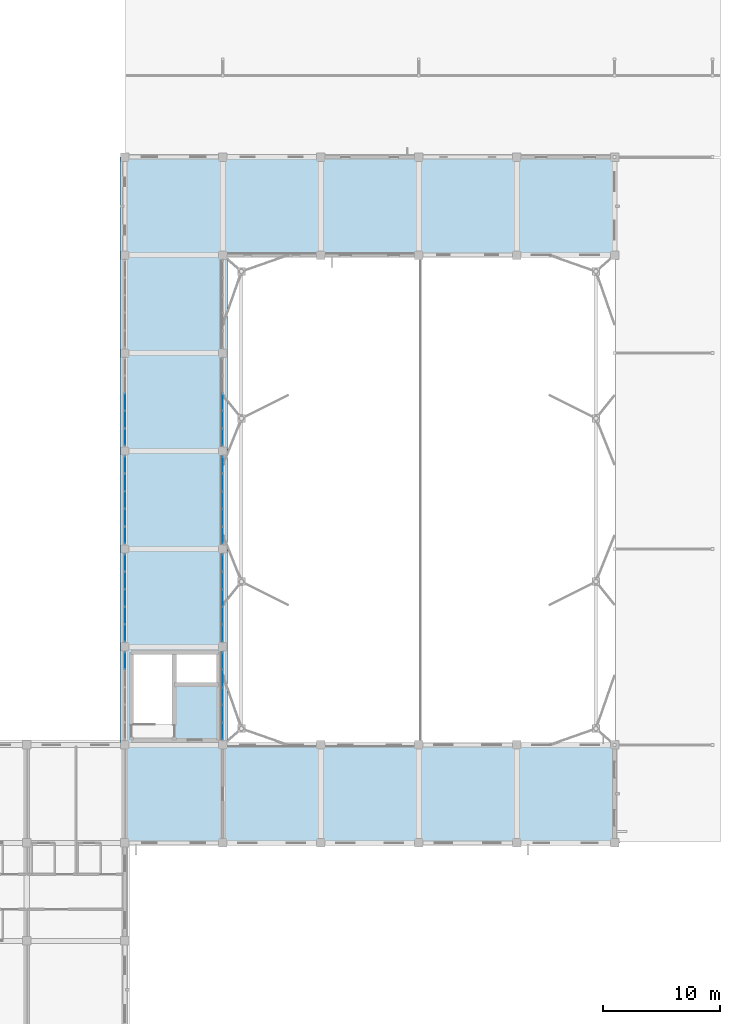
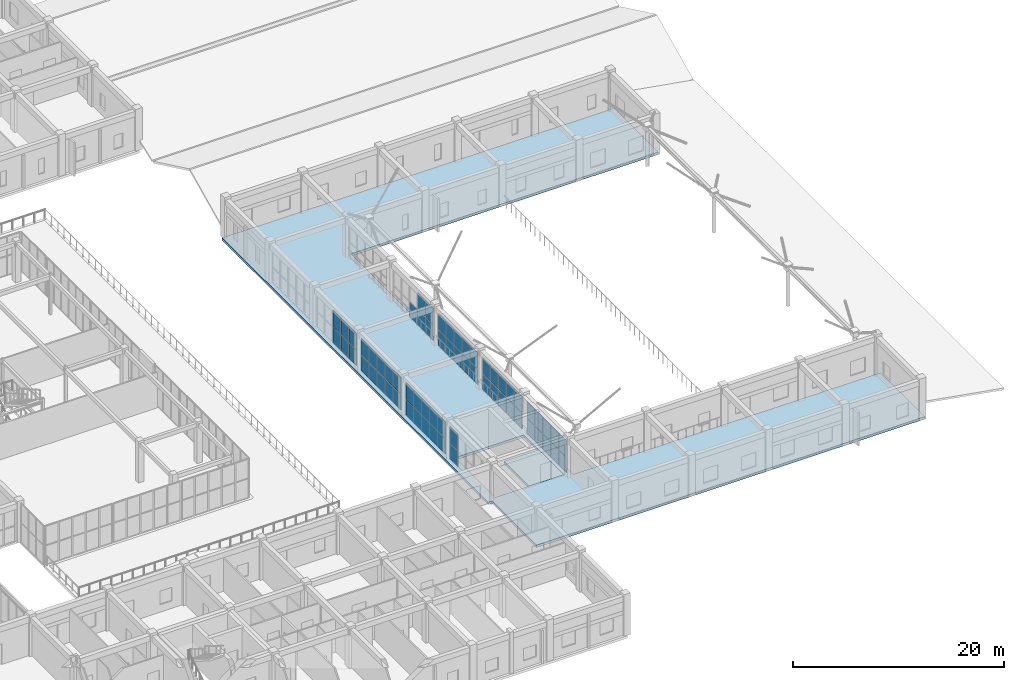
# One storey, part 111 of 158: 63 plates, 2 slabs, 8 elements without a shape of their own.
"""IFC4 building model written with IfcOpenShell, lengths in metres."""

from ifc_helpers import new_model, si_unit, direction, frame, origin, origin_2d, place, context, subcontext, project, spatial, polyline, rectangle, outline, extrude, material, layer, layer_set, type_object, element, aggregate, save


model = new_model("IFC4")

# Units and contexts
model_context = context("Model", 3, precision=1e-05, world=origin(), true_north=direction((0.0, 1.0)))
body_context = subcontext(model_context, "Body", "Model", "MODEL_VIEW")
ifc_project = project(units=[si_unit("LENGTHUNIT", "METRE"), si_unit("AREAUNIT", "SQUARE_METRE"), si_unit("VOLUMEUNIT", "CUBIC_METRE"), si_unit("PLANEANGLEUNIT", "RADIAN"), si_unit("MASSUNIT", "GRAM", prefix="KILO")], contexts=[model_context])

# Site, building, storey
site_placement = place(None, origin())
site = spatial("IfcSite", under=ifc_project, at=site_placement, CompositionType="ELEMENT")
building_placement = place(site_placement, origin())
building = spatial("IfcBuilding", under=site, at=building_placement, Name="Trelvath General Hospital", CompositionType="ELEMENT")
storey_placement = place(building_placement, frame((0.0, 0.0, 8.10009765625)))
storey = spatial("IfcBuildingStorey", under=building, at=storey_placement, Name="L02", CompositionType="ELEMENT", Elevation=8.10009765625)

# Curtain wall, plates
ifc_material_1 = material(Name="Anodised aluminium and low-E glass", Category="aluminium")
ifc_layer_1 = layer(ifc_material_1, 0.179931640625)
ifc_layer_set_1 = layer_set([ifc_layer_1], Name="Anodised aluminium and low-E glass")
curtain_wall_type = type_object("IfcCurtainWallType", Name="CW Facade 757 386 18", PredefinedType="USERDEFINED", material=ifc_layer_set_1)
curtain_wall_1_placement = place(storey_placement, origin())
curtain_wall_1 = element("IfcCurtainWall", 1, at=curtain_wall_1_placement, inside=storey, type_object=curtain_wall_type, Name="Facade Curtain Wall CW-046", ObjectType="Unitised Glazed Curtain Wall", PredefinedType="USERDEFINED")
ifc_material_2 = material(Name="Low-E laminated glass", Category="glass")
ifc_layer_2 = layer(ifc_material_2, 0.035888671875)
ifc_layer_set_2 = layer_set([ifc_layer_2], Name="Low-E laminated glass")
plate_type = type_object("IfcPlateType", Name="CurtainPanel Glass36", PredefinedType="CURTAIN_PANEL", material=ifc_layer_set_2)
plate_1_placement = place(storey_placement, frame((134.39990234375, 32.411865234375, 0.06494140625), z_axis=(0.0, 0.0, 1.0), x_axis=(0.0, 1.0, 0.0)))
plate_1 = element("IfcPlate", 2, at=plate_1_placement, type_object=plate_type, Name="CW-046 panel 5.1", PredefinedType="CURTAIN_PANEL", context=body_context, shape_type="SweptSolid", body=[
    extrude(rectangle(XDim=1.41650390625, YDim=0.035888671875, at=origin_2d()), origin(), (0.0, 0.0, 1.0), 1.755615234375),
])
plate_2_placement = place(storey_placement, frame((134.39990234375, 32.411865234375, 1.88525390625), z_axis=(0.0, 0.0, 1.0), x_axis=(0.0, 1.0, 0.0)))
plate_2 = element("IfcPlate", 3, at=plate_2_placement, type_object=plate_type, Name="CW-046 panel 5.2", PredefinedType="CURTAIN_PANEL", context=body_context, shape_type="SweptSolid", body=[
    extrude(rectangle(XDim=1.41650390625, YDim=0.035888671875, at=origin_2d()), origin(), (0.0, 0.0, 1.0), 1.909423828125),
])
aggregate(curtain_wall_1, [plate_1, plate_2])

curtain_wall_2_placement = place(storey_placement, origin())
curtain_wall_2 = element("IfcCurtainWall", 4, at=curtain_wall_2_placement, inside=storey, type_object=curtain_wall_type, Name="Facade Curtain Wall CW-047", ObjectType="Unitised Glazed Curtain Wall", PredefinedType="USERDEFINED")
plate_3_placement = place(storey_placement, frame((142.800048828125, 32.411865234375, 0.06494140625), z_axis=(0.0, 0.0, 1.0), x_axis=(0.0, -1.0, 0.0)))
plate_3 = element("IfcPlate", 5, at=plate_3_placement, type_object=plate_type, Name="CW-047 panel 1.1", PredefinedType="CURTAIN_PANEL", context=body_context, shape_type="SweptSolid", body=[
    extrude(rectangle(XDim=1.41650390625, YDim=0.035888671875, at=origin_2d()), origin(), (0.0, 0.0, 1.0), 1.755615234375),
])
plate_4_placement = place(storey_placement, frame((142.800048828125, 32.411865234375, 1.88525390625), z_axis=(0.0, 0.0, 1.0), x_axis=(0.0, -1.0, 0.0)))
plate_4 = element("IfcPlate", 6, at=plate_4_placement, type_object=plate_type, Name="CW-047 panel 1.2", PredefinedType="CURTAIN_PANEL", context=body_context, shape_type="SweptSolid", body=[
    extrude(rectangle(XDim=1.41650390625, YDim=0.035888671875, at=origin_2d()), origin(), (0.0, 0.0, 1.0), 1.909423828125),
])
plate_5_placement = place(storey_placement, frame((142.800048828125, 30.9140625, 0.06494140625), z_axis=(0.0, 0.0, 1.0), x_axis=(0.0, -1.0, 0.0)))
plate_5 = element("IfcPlate", 7, at=plate_5_placement, type_object=plate_type, Name="CW-047 panel 2.1", PredefinedType="CURTAIN_PANEL", context=body_context, shape_type="SweptSolid", body=[
    extrude(rectangle(XDim=1.448974609375, YDim=0.035888671875, at=origin_2d()), origin(), (0.0, 0.0, 1.0), 1.755615234375),
])
plate_6_placement = place(storey_placement, frame((142.800048828125, 30.9140625, 1.88525390625), z_axis=(0.0, 0.0, 1.0), x_axis=(0.0, -1.0, 0.0)))
plate_6 = element("IfcPlate", 8, at=plate_6_placement, type_object=plate_type, Name="CW-047 panel 2.2", PredefinedType="CURTAIN_PANEL", context=body_context, shape_type="SweptSolid", body=[
    extrude(rectangle(XDim=1.448974609375, YDim=0.035888671875, at=origin_2d()), origin(), (0.0, 0.0, 1.0), 1.909423828125),
])
plate_7_placement = place(storey_placement, frame((142.800048828125, 29.39990234375, 0.06494140625), z_axis=(0.0, 0.0, 1.0), x_axis=(0.0, -1.0, 0.0)))
plate_7 = element("IfcPlate", 9, at=plate_7_placement, type_object=plate_type, Name="CW-047 panel 3.1", PredefinedType="CURTAIN_PANEL", context=body_context, shape_type="SweptSolid", body=[
    extrude(rectangle(XDim=1.448974609375, YDim=0.035888671875, at=origin_2d()), origin(), (0.0, 0.0, 1.0), 1.755615234375),
])
plate_8_placement = place(storey_placement, frame((142.800048828125, 29.39990234375, 1.88525390625), z_axis=(0.0, 0.0, 1.0), x_axis=(0.0, -1.0, 0.0)))
plate_8 = element("IfcPlate", 10, at=plate_8_placement, type_object=plate_type, Name="CW-047 panel 3.2", PredefinedType="CURTAIN_PANEL", context=body_context, shape_type="SweptSolid", body=[
    extrude(rectangle(XDim=1.448974609375, YDim=0.035888671875, at=origin_2d()), origin(), (0.0, 0.0, 1.0), 1.909423828125),
])
plate_9_placement = place(storey_placement, frame((142.800048828125, 27.885986328125, 0.06494140625), z_axis=(0.0, 0.0, 1.0), x_axis=(0.0, -1.0, 0.0)))
plate_9 = element("IfcPlate", 11, at=plate_9_placement, type_object=plate_type, Name="CW-047 panel 4.1", PredefinedType="CURTAIN_PANEL", context=body_context, shape_type="SweptSolid", body=[
    extrude(rectangle(XDim=1.448974609375, YDim=0.035888671875, at=origin_2d()), origin(), (0.0, 0.0, 1.0), 1.755615234375),
])
plate_10_placement = place(storey_placement, frame((142.800048828125, 27.885986328125, 1.88525390625), z_axis=(0.0, 0.0, 1.0), x_axis=(0.0, -1.0, 0.0)))
plate_10 = element("IfcPlate", 12, at=plate_10_placement, type_object=plate_type, Name="CW-047 panel 4.2", PredefinedType="CURTAIN_PANEL", context=body_context, shape_type="SweptSolid", body=[
    extrude(rectangle(XDim=1.448974609375, YDim=0.035888671875, at=origin_2d()), origin(), (0.0, 0.0, 1.0), 1.909423828125),
])
plate_11_placement = place(storey_placement, frame((142.800048828125, 26.38818359375, 0.06494140625), z_axis=(0.0, 0.0, 1.0), x_axis=(0.0, -1.0, 0.0)))
plate_11 = element("IfcPlate", 13, at=plate_11_placement, type_object=plate_type, Name="CW-047 panel 5.1", PredefinedType="CURTAIN_PANEL", context=body_context, shape_type="SweptSolid", body=[
    extrude(rectangle(XDim=1.41650390625, YDim=0.035888671875, at=origin_2d()), origin(), (0.0, 0.0, 1.0), 1.755615234375),
])
plate_12_placement = place(storey_placement, frame((142.800048828125, 26.38818359375, 1.88525390625), z_axis=(0.0, 0.0, 1.0), x_axis=(0.0, -1.0, 0.0)))
plate_12 = element("IfcPlate", 14, at=plate_12_placement, type_object=plate_type, Name="CW-047 panel 5.2", PredefinedType="CURTAIN_PANEL", context=body_context, shape_type="SweptSolid", body=[
    extrude(rectangle(XDim=1.41650390625, YDim=0.035888671875, at=origin_2d()), origin(), (0.0, 0.0, 1.0), 1.909423828125),
])
aggregate(curtain_wall_2, [plate_3, plate_4, plate_5, plate_6, plate_7, plate_8, plate_9, plate_10, plate_11, plate_12])

curtain_wall_3_placement = place(storey_placement, origin())
curtain_wall_3 = element("IfcCurtainWall", 15, at=curtain_wall_3_placement, inside=storey, type_object=curtain_wall_type, Name="Facade Curtain Wall CW-048", ObjectType="Unitised Glazed Curtain Wall", PredefinedType="USERDEFINED")
plate_13_placement = place(storey_placement, frame((134.39990234375, 34.788330078125, 0.06494140625), z_axis=(0.0, 0.0, 1.0), x_axis=(0.0, 1.0, 0.0)))
plate_13 = element("IfcPlate", 16, at=plate_13_placement, type_object=plate_type, Name="CW-048 panel 1.1", PredefinedType="CURTAIN_PANEL", context=body_context, shape_type="SweptSolid", body=[
    extrude(rectangle(XDim=1.41650390625, YDim=0.035888671875, at=origin_2d()), origin(), (0.0, 0.0, 1.0), 1.755615234375),
])
plate_14_placement = place(storey_placement, frame((134.39990234375, 34.788330078125, 1.88525390625), z_axis=(0.0, 0.0, 1.0), x_axis=(0.0, 1.0, 0.0)))
plate_14 = element("IfcPlate", 17, at=plate_14_placement, type_object=plate_type, Name="CW-048 panel 1.2", PredefinedType="CURTAIN_PANEL", context=body_context, shape_type="SweptSolid", body=[
    extrude(rectangle(XDim=1.41650390625, YDim=0.035888671875, at=origin_2d()), origin(), (0.0, 0.0, 1.0), 1.909423828125),
])
plate_15_placement = place(storey_placement, frame((134.39990234375, 36.285888671875, 0.06494140625), z_axis=(0.0, 0.0, 1.0), x_axis=(0.0, 1.0, 0.0)))
plate_15 = element("IfcPlate", 18, at=plate_15_placement, type_object=plate_type, Name="CW-048 panel 2.1", PredefinedType="CURTAIN_PANEL", context=body_context, shape_type="SweptSolid", body=[
    extrude(rectangle(XDim=1.448974609375, YDim=0.035888671875, at=origin_2d()), origin(), (0.0, 0.0, 1.0), 1.755615234375),
])
plate_16_placement = place(storey_placement, frame((134.39990234375, 36.285888671875, 1.88525390625), z_axis=(0.0, 0.0, 1.0), x_axis=(0.0, 1.0, 0.0)))
plate_16 = element("IfcPlate", 19, at=plate_16_placement, type_object=plate_type, Name="CW-048 panel 2.2", PredefinedType="CURTAIN_PANEL", context=body_context, shape_type="SweptSolid", body=[
    extrude(rectangle(XDim=1.448974609375, YDim=0.035888671875, at=origin_2d()), origin(), (0.0, 0.0, 1.0), 1.909423828125),
])
plate_17_placement = place(storey_placement, frame((134.39990234375, 37.800048828125, 0.06494140625), z_axis=(0.0, 0.0, 1.0), x_axis=(0.0, 1.0, 0.0)))
plate_17 = element("IfcPlate", 20, at=plate_17_placement, type_object=plate_type, Name="CW-048 panel 3.1", PredefinedType="CURTAIN_PANEL", context=body_context, shape_type="SweptSolid", body=[
    extrude(rectangle(XDim=1.448974609375, YDim=0.035888671875, at=origin_2d()), origin(), (0.0, 0.0, 1.0), 1.755615234375),
])
plate_18_placement = place(storey_placement, frame((134.39990234375, 37.800048828125, 1.88525390625), z_axis=(0.0, 0.0, 1.0), x_axis=(0.0, 1.0, 0.0)))
plate_18 = element("IfcPlate", 21, at=plate_18_placement, type_object=plate_type, Name="CW-048 panel 3.2", PredefinedType="CURTAIN_PANEL", context=body_context, shape_type="SweptSolid", body=[
    extrude(rectangle(XDim=1.448974609375, YDim=0.035888671875, at=origin_2d()), origin(), (0.0, 0.0, 1.0), 1.909423828125),
])
plate_19_placement = place(storey_placement, frame((134.39990234375, 39.31396484375, 0.06494140625), z_axis=(0.0, 0.0, 1.0), x_axis=(0.0, 1.0, 0.0)))
plate_19 = element("IfcPlate", 22, at=plate_19_placement, type_object=plate_type, Name="CW-048 panel 4.1", PredefinedType="CURTAIN_PANEL", context=body_context, shape_type="SweptSolid", body=[
    extrude(rectangle(XDim=1.448974609375, YDim=0.035888671875, at=origin_2d()), origin(), (0.0, 0.0, 1.0), 1.755615234375),
])
plate_20_placement = place(storey_placement, frame((134.39990234375, 39.31396484375, 1.88525390625), z_axis=(0.0, 0.0, 1.0), x_axis=(0.0, 1.0, 0.0)))
plate_20 = element("IfcPlate", 23, at=plate_20_placement, type_object=plate_type, Name="CW-048 panel 4.2", PredefinedType="CURTAIN_PANEL", context=body_context, shape_type="SweptSolid", body=[
    extrude(rectangle(XDim=1.448974609375, YDim=0.035888671875, at=origin_2d()), origin(), (0.0, 0.0, 1.0), 1.909423828125),
])
plate_21_placement = place(storey_placement, frame((134.39990234375, 40.811767578125, 0.06494140625), z_axis=(0.0, 0.0, 1.0), x_axis=(0.0, 1.0, 0.0)))
plate_21 = element("IfcPlate", 24, at=plate_21_placement, type_object=plate_type, Name="CW-048 panel 5.1", PredefinedType="CURTAIN_PANEL", context=body_context, shape_type="SweptSolid", body=[
    extrude(rectangle(XDim=1.41650390625, YDim=0.035888671875, at=origin_2d()), origin(), (0.0, 0.0, 1.0), 1.755615234375),
])
plate_22_placement = place(storey_placement, frame((134.39990234375, 40.811767578125, 1.88525390625), z_axis=(0.0, 0.0, 1.0), x_axis=(0.0, 1.0, 0.0)))
plate_22 = element("IfcPlate", 25, at=plate_22_placement, type_object=plate_type, Name="CW-048 panel 5.2", PredefinedType="CURTAIN_PANEL", context=body_context, shape_type="SweptSolid", body=[
    extrude(rectangle(XDim=1.41650390625, YDim=0.035888671875, at=origin_2d()), origin(), (0.0, 0.0, 1.0), 1.909423828125),
])
aggregate(curtain_wall_3, [plate_13, plate_14, plate_15, plate_16, plate_17, plate_18, plate_19, plate_20, plate_21, plate_22])

curtain_wall_4_placement = place(storey_placement, origin())
curtain_wall_4 = element("IfcCurtainWall", 26, at=curtain_wall_4_placement, inside=storey, type_object=curtain_wall_type, Name="Facade Curtain Wall CW-049", ObjectType="Unitised Glazed Curtain Wall", PredefinedType="USERDEFINED")
plate_23_placement = place(storey_placement, frame((142.800048828125, 40.811767578125, 0.06494140625), z_axis=(0.0, 0.0, 1.0), x_axis=(0.0, -1.0, 0.0)))
plate_23 = element("IfcPlate", 27, at=plate_23_placement, type_object=plate_type, Name="CW-049 panel 1.1", PredefinedType="CURTAIN_PANEL", context=body_context, shape_type="SweptSolid", body=[
    extrude(rectangle(XDim=1.41650390625, YDim=0.035888671875, at=origin_2d()), origin(), (0.0, 0.0, 1.0), 1.755615234375),
])
plate_24_placement = place(storey_placement, frame((142.800048828125, 40.811767578125, 1.88525390625), z_axis=(0.0, 0.0, 1.0), x_axis=(0.0, -1.0, 0.0)))
plate_24 = element("IfcPlate", 28, at=plate_24_placement, type_object=plate_type, Name="CW-049 panel 1.2", PredefinedType="CURTAIN_PANEL", context=body_context, shape_type="SweptSolid", body=[
    extrude(rectangle(XDim=1.41650390625, YDim=0.035888671875, at=origin_2d()), origin(), (0.0, 0.0, 1.0), 1.909423828125),
])
plate_25_placement = place(storey_placement, frame((142.800048828125, 39.31396484375, 0.06494140625), z_axis=(0.0, 0.0, 1.0), x_axis=(0.0, -1.0, 0.0)))
plate_25 = element("IfcPlate", 29, at=plate_25_placement, type_object=plate_type, Name="CW-049 panel 2.1", PredefinedType="CURTAIN_PANEL", context=body_context, shape_type="SweptSolid", body=[
    extrude(rectangle(XDim=1.448974609375, YDim=0.035888671875, at=origin_2d()), origin(), (0.0, 0.0, 1.0), 1.755615234375),
])
plate_26_placement = place(storey_placement, frame((142.800048828125, 39.31396484375, 1.88525390625), z_axis=(0.0, 0.0, 1.0), x_axis=(0.0, -1.0, 0.0)))
plate_26 = element("IfcPlate", 30, at=plate_26_placement, type_object=plate_type, Name="CW-049 panel 2.2", PredefinedType="CURTAIN_PANEL", context=body_context, shape_type="SweptSolid", body=[
    extrude(rectangle(XDim=1.448974609375, YDim=0.035888671875, at=origin_2d()), origin(), (0.0, 0.0, 1.0), 1.909423828125),
])
plate_27_placement = place(storey_placement, frame((142.800048828125, 37.800048828125, 0.06494140625), z_axis=(0.0, 0.0, 1.0), x_axis=(0.0, -1.0, 0.0)))
plate_27 = element("IfcPlate", 31, at=plate_27_placement, type_object=plate_type, Name="CW-049 panel 3.1", PredefinedType="CURTAIN_PANEL", context=body_context, shape_type="SweptSolid", body=[
    extrude(rectangle(XDim=1.448974609375, YDim=0.035888671875, at=origin_2d()), origin(), (0.0, 0.0, 1.0), 1.755615234375),
])
plate_28_placement = place(storey_placement, frame((142.800048828125, 37.800048828125, 1.88525390625), z_axis=(0.0, 0.0, 1.0), x_axis=(0.0, -1.0, 0.0)))
plate_28 = element("IfcPlate", 32, at=plate_28_placement, type_object=plate_type, Name="CW-049 panel 3.2", PredefinedType="CURTAIN_PANEL", context=body_context, shape_type="SweptSolid", body=[
    extrude(rectangle(XDim=1.448974609375, YDim=0.035888671875, at=origin_2d()), origin(), (0.0, 0.0, 1.0), 1.909423828125),
])
plate_29_placement = place(storey_placement, frame((142.800048828125, 36.285888671875, 0.06494140625), z_axis=(0.0, 0.0, 1.0), x_axis=(0.0, -1.0, 0.0)))
plate_29 = element("IfcPlate", 33, at=plate_29_placement, type_object=plate_type, Name="CW-049 panel 4.1", PredefinedType="CURTAIN_PANEL", context=body_context, shape_type="SweptSolid", body=[
    extrude(rectangle(XDim=1.448974609375, YDim=0.035888671875, at=origin_2d()), origin(), (0.0, 0.0, 1.0), 1.755615234375),
])
plate_30_placement = place(storey_placement, frame((142.800048828125, 36.285888671875, 1.88525390625), z_axis=(0.0, 0.0, 1.0), x_axis=(0.0, -1.0, 0.0)))
plate_30 = element("IfcPlate", 34, at=plate_30_placement, type_object=plate_type, Name="CW-049 panel 4.2", PredefinedType="CURTAIN_PANEL", context=body_context, shape_type="SweptSolid", body=[
    extrude(rectangle(XDim=1.448974609375, YDim=0.035888671875, at=origin_2d()), origin(), (0.0, 0.0, 1.0), 1.909423828125),
])
plate_31_placement = place(storey_placement, frame((142.800048828125, 34.788330078125, 0.06494140625), z_axis=(0.0, 0.0, 1.0), x_axis=(0.0, -1.0, 0.0)))
plate_31 = element("IfcPlate", 35, at=plate_31_placement, type_object=plate_type, Name="CW-049 panel 5.1", PredefinedType="CURTAIN_PANEL", context=body_context, shape_type="SweptSolid", body=[
    extrude(rectangle(XDim=1.41650390625, YDim=0.035888671875, at=origin_2d()), origin(), (0.0, 0.0, 1.0), 1.755615234375),
])
plate_32_placement = place(storey_placement, frame((142.800048828125, 34.788330078125, 1.88525390625), z_axis=(0.0, 0.0, 1.0), x_axis=(0.0, -1.0, 0.0)))
plate_32 = element("IfcPlate", 36, at=plate_32_placement, type_object=plate_type, Name="CW-049 panel 5.2", PredefinedType="CURTAIN_PANEL", context=body_context, shape_type="SweptSolid", body=[
    extrude(rectangle(XDim=1.41650390625, YDim=0.035888671875, at=origin_2d()), origin(), (0.0, 0.0, 1.0), 1.909423828125),
])
aggregate(curtain_wall_4, [plate_23, plate_24, plate_25, plate_26, plate_27, plate_28, plate_29, plate_30, plate_31, plate_32])

curtain_wall_5_placement = place(storey_placement, origin())
curtain_wall_5 = element("IfcCurtainWall", 37, at=curtain_wall_5_placement, inside=storey, type_object=curtain_wall_type, Name="Facade Curtain Wall CW-050", ObjectType="Unitised Glazed Curtain Wall", PredefinedType="USERDEFINED")
plate_33_placement = place(storey_placement, frame((134.39990234375, 43.188232421875, 0.06494140625), z_axis=(0.0, 0.0, 1.0), x_axis=(0.0, 1.0, 0.0)))
plate_33 = element("IfcPlate", 38, at=plate_33_placement, type_object=plate_type, Name="CW-050 panel 1.1", PredefinedType="CURTAIN_PANEL", context=body_context, shape_type="SweptSolid", body=[
    extrude(rectangle(XDim=1.41650390625, YDim=0.035888671875, at=origin_2d()), origin(), (0.0, 0.0, 1.0), 1.755615234375),
])
plate_34_placement = place(storey_placement, frame((134.39990234375, 43.188232421875, 1.88525390625), z_axis=(0.0, 0.0, 1.0), x_axis=(0.0, 1.0, 0.0)))
plate_34 = element("IfcPlate", 39, at=plate_34_placement, type_object=plate_type, Name="CW-050 panel 1.2", PredefinedType="CURTAIN_PANEL", context=body_context, shape_type="SweptSolid", body=[
    extrude(rectangle(XDim=1.41650390625, YDim=0.035888671875, at=origin_2d()), origin(), (0.0, 0.0, 1.0), 1.909423828125),
])
plate_35_placement = place(storey_placement, frame((134.39990234375, 44.68603515625, 0.06494140625), z_axis=(0.0, 0.0, 1.0), x_axis=(0.0, 1.0, 0.0)))
plate_35 = element("IfcPlate", 40, at=plate_35_placement, type_object=plate_type, Name="CW-050 panel 2.1", PredefinedType="CURTAIN_PANEL", context=body_context, shape_type="SweptSolid", body=[
    extrude(rectangle(XDim=1.448974609375, YDim=0.035888671875, at=origin_2d()), origin(), (0.0, 0.0, 1.0), 1.755615234375),
])
plate_36_placement = place(storey_placement, frame((134.39990234375, 44.68603515625, 1.88525390625), z_axis=(0.0, 0.0, 1.0), x_axis=(0.0, 1.0, 0.0)))
plate_36 = element("IfcPlate", 41, at=plate_36_placement, type_object=plate_type, Name="CW-050 panel 2.2", PredefinedType="CURTAIN_PANEL", context=body_context, shape_type="SweptSolid", body=[
    extrude(rectangle(XDim=1.448974609375, YDim=0.035888671875, at=origin_2d()), origin(), (0.0, 0.0, 1.0), 1.909423828125),
])
plate_37_placement = place(storey_placement, frame((134.39990234375, 46.199951171875, 0.06494140625), z_axis=(0.0, 0.0, 1.0), x_axis=(0.0, 1.0, 0.0)))
plate_37 = element("IfcPlate", 42, at=plate_37_placement, type_object=plate_type, Name="CW-050 panel 3.1", PredefinedType="CURTAIN_PANEL", context=body_context, shape_type="SweptSolid", body=[
    extrude(rectangle(XDim=1.448974609375, YDim=0.035888671875, at=origin_2d()), origin(), (0.0, 0.0, 1.0), 1.755615234375),
])
plate_38_placement = place(storey_placement, frame((134.39990234375, 46.199951171875, 1.88525390625), z_axis=(0.0, 0.0, 1.0), x_axis=(0.0, 1.0, 0.0)))
plate_38 = element("IfcPlate", 43, at=plate_38_placement, type_object=plate_type, Name="CW-050 panel 3.2", PredefinedType="CURTAIN_PANEL", context=body_context, shape_type="SweptSolid", body=[
    extrude(rectangle(XDim=1.448974609375, YDim=0.035888671875, at=origin_2d()), origin(), (0.0, 0.0, 1.0), 1.909423828125),
])
plate_39_placement = place(storey_placement, frame((134.39990234375, 47.714111328125, 0.06494140625), z_axis=(0.0, 0.0, 1.0), x_axis=(0.0, 1.0, 0.0)))
plate_39 = element("IfcPlate", 44, at=plate_39_placement, type_object=plate_type, Name="CW-050 panel 4.1", PredefinedType="CURTAIN_PANEL", context=body_context, shape_type="SweptSolid", body=[
    extrude(rectangle(XDim=1.448974609375, YDim=0.035888671875, at=origin_2d()), origin(), (0.0, 0.0, 1.0), 1.755615234375),
])
plate_40_placement = place(storey_placement, frame((134.39990234375, 47.714111328125, 1.88525390625), z_axis=(0.0, 0.0, 1.0), x_axis=(0.0, 1.0, 0.0)))
plate_40 = element("IfcPlate", 45, at=plate_40_placement, type_object=plate_type, Name="CW-050 panel 4.2", PredefinedType="CURTAIN_PANEL", context=body_context, shape_type="SweptSolid", body=[
    extrude(rectangle(XDim=1.448974609375, YDim=0.035888671875, at=origin_2d()), origin(), (0.0, 0.0, 1.0), 1.909423828125),
])
plate_41_placement = place(storey_placement, frame((134.39990234375, 49.211669921875, 0.06494140625), z_axis=(0.0, 0.0, 1.0), x_axis=(0.0, 1.0, 0.0)))
plate_41 = element("IfcPlate", 46, at=plate_41_placement, type_object=plate_type, Name="CW-050 panel 5.1", PredefinedType="CURTAIN_PANEL", context=body_context, shape_type="SweptSolid", body=[
    extrude(rectangle(XDim=1.41650390625, YDim=0.035888671875, at=origin_2d()), origin(), (0.0, 0.0, 1.0), 1.755615234375),
])
plate_42_placement = place(storey_placement, frame((134.39990234375, 49.211669921875, 1.88525390625), z_axis=(0.0, 0.0, 1.0), x_axis=(0.0, 1.0, 0.0)))
plate_42 = element("IfcPlate", 47, at=plate_42_placement, type_object=plate_type, Name="CW-050 panel 5.2", PredefinedType="CURTAIN_PANEL", context=body_context, shape_type="SweptSolid", body=[
    extrude(rectangle(XDim=1.41650390625, YDim=0.035888671875, at=origin_2d()), origin(), (0.0, 0.0, 1.0), 1.909423828125),
])
aggregate(curtain_wall_5, [plate_33, plate_34, plate_35, plate_36, plate_37, plate_38, plate_39, plate_40, plate_41, plate_42])

curtain_wall_6_placement = place(storey_placement, origin())
curtain_wall_6 = element("IfcCurtainWall", 48, at=curtain_wall_6_placement, inside=storey, type_object=curtain_wall_type, Name="Facade Curtain Wall CW-051", ObjectType="Unitised Glazed Curtain Wall", PredefinedType="USERDEFINED")
plate_43_placement = place(storey_placement, frame((142.800048828125, 49.211669921875, 0.06494140625), z_axis=(0.0, 0.0, 1.0), x_axis=(0.0, -1.0, 0.0)))
plate_43 = element("IfcPlate", 49, at=plate_43_placement, type_object=plate_type, Name="CW-051 panel 1.1", PredefinedType="CURTAIN_PANEL", context=body_context, shape_type="SweptSolid", body=[
    extrude(rectangle(XDim=1.41650390625, YDim=0.035888671875, at=origin_2d()), origin(), (0.0, 0.0, 1.0), 1.755615234375),
])
plate_44_placement = place(storey_placement, frame((142.800048828125, 49.211669921875, 1.88525390625), z_axis=(0.0, 0.0, 1.0), x_axis=(0.0, -1.0, 0.0)))
plate_44 = element("IfcPlate", 50, at=plate_44_placement, type_object=plate_type, Name="CW-051 panel 1.2", PredefinedType="CURTAIN_PANEL", context=body_context, shape_type="SweptSolid", body=[
    extrude(rectangle(XDim=1.41650390625, YDim=0.035888671875, at=origin_2d()), origin(), (0.0, 0.0, 1.0), 1.909423828125),
])
plate_45_placement = place(storey_placement, frame((142.800048828125, 47.714111328125, 0.06494140625), z_axis=(0.0, 0.0, 1.0), x_axis=(0.0, -1.0, 0.0)))
plate_45 = element("IfcPlate", 51, at=plate_45_placement, type_object=plate_type, Name="CW-051 panel 2.1", PredefinedType="CURTAIN_PANEL", context=body_context, shape_type="SweptSolid", body=[
    extrude(rectangle(XDim=1.448974609375, YDim=0.035888671875, at=origin_2d()), origin(), (0.0, 0.0, 1.0), 1.755615234375),
])
plate_46_placement = place(storey_placement, frame((142.800048828125, 47.714111328125, 1.88525390625), z_axis=(0.0, 0.0, 1.0), x_axis=(0.0, -1.0, 0.0)))
plate_46 = element("IfcPlate", 52, at=plate_46_placement, type_object=plate_type, Name="CW-051 panel 2.2", PredefinedType="CURTAIN_PANEL", context=body_context, shape_type="SweptSolid", body=[
    extrude(rectangle(XDim=1.448974609375, YDim=0.035888671875, at=origin_2d()), origin(), (0.0, 0.0, 1.0), 1.909423828125),
])
plate_47_placement = place(storey_placement, frame((142.800048828125, 46.199951171875, 0.06494140625), z_axis=(0.0, 0.0, 1.0), x_axis=(0.0, -1.0, 0.0)))
plate_47 = element("IfcPlate", 53, at=plate_47_placement, type_object=plate_type, Name="CW-051 panel 3.1", PredefinedType="CURTAIN_PANEL", context=body_context, shape_type="SweptSolid", body=[
    extrude(rectangle(XDim=1.448974609375, YDim=0.035888671875, at=origin_2d()), origin(), (0.0, 0.0, 1.0), 1.755615234375),
])
plate_48_placement = place(storey_placement, frame((142.800048828125, 46.199951171875, 1.88525390625), z_axis=(0.0, 0.0, 1.0), x_axis=(0.0, -1.0, 0.0)))
plate_48 = element("IfcPlate", 54, at=plate_48_placement, type_object=plate_type, Name="CW-051 panel 3.2", PredefinedType="CURTAIN_PANEL", context=body_context, shape_type="SweptSolid", body=[
    extrude(rectangle(XDim=1.448974609375, YDim=0.035888671875, at=origin_2d()), origin(), (0.0, 0.0, 1.0), 1.909423828125),
])
plate_49_placement = place(storey_placement, frame((142.800048828125, 44.68603515625, 0.06494140625), z_axis=(0.0, 0.0, 1.0), x_axis=(0.0, -1.0, 0.0)))
plate_49 = element("IfcPlate", 55, at=plate_49_placement, type_object=plate_type, Name="CW-051 panel 4.1", PredefinedType="CURTAIN_PANEL", context=body_context, shape_type="SweptSolid", body=[
    extrude(rectangle(XDim=1.448974609375, YDim=0.035888671875, at=origin_2d()), origin(), (0.0, 0.0, 1.0), 1.755615234375),
])
plate_50_placement = place(storey_placement, frame((142.800048828125, 44.68603515625, 1.88525390625), z_axis=(0.0, 0.0, 1.0), x_axis=(0.0, -1.0, 0.0)))
plate_50 = element("IfcPlate", 56, at=plate_50_placement, type_object=plate_type, Name="CW-051 panel 4.2", PredefinedType="CURTAIN_PANEL", context=body_context, shape_type="SweptSolid", body=[
    extrude(rectangle(XDim=1.448974609375, YDim=0.035888671875, at=origin_2d()), origin(), (0.0, 0.0, 1.0), 1.909423828125),
])
plate_51_placement = place(storey_placement, frame((142.800048828125, 43.188232421875, 0.06494140625), z_axis=(0.0, 0.0, 1.0), x_axis=(0.0, -1.0, 0.0)))
plate_51 = element("IfcPlate", 57, at=plate_51_placement, type_object=plate_type, Name="CW-051 panel 5.1", PredefinedType="CURTAIN_PANEL", context=body_context, shape_type="SweptSolid", body=[
    extrude(rectangle(XDim=1.41650390625, YDim=0.035888671875, at=origin_2d()), origin(), (0.0, 0.0, 1.0), 1.755615234375),
])
plate_52_placement = place(storey_placement, frame((142.800048828125, 43.188232421875, 1.88525390625), z_axis=(0.0, 0.0, 1.0), x_axis=(0.0, -1.0, 0.0)))
plate_52 = element("IfcPlate", 58, at=plate_52_placement, type_object=plate_type, Name="CW-051 panel 5.2", PredefinedType="CURTAIN_PANEL", context=body_context, shape_type="SweptSolid", body=[
    extrude(rectangle(XDim=1.41650390625, YDim=0.035888671875, at=origin_2d()), origin(), (0.0, 0.0, 1.0), 1.909423828125),
])
aggregate(curtain_wall_6, [plate_43, plate_44, plate_45, plate_46, plate_47, plate_48, plate_49, plate_50, plate_51, plate_52])

curtain_wall_7_placement = place(storey_placement, origin())
curtain_wall_7 = element("IfcCurtainWall", 59, at=curtain_wall_7_placement, inside=storey, type_object=curtain_wall_type, Name="Facade Curtain Wall CW-052", ObjectType="Unitised Glazed Curtain Wall", PredefinedType="USERDEFINED")
plate_53_placement = place(storey_placement, frame((134.39990234375, 51.588134765625, 0.06494140625), z_axis=(0.0, 0.0, 1.0), x_axis=(0.0, 1.0, 0.0)))
plate_53 = element("IfcPlate", 60, at=plate_53_placement, type_object=plate_type, Name="CW-052 panel 1.1", PredefinedType="CURTAIN_PANEL", context=body_context, shape_type="SweptSolid", body=[
    extrude(rectangle(XDim=1.41650390625, YDim=0.035888671875, at=origin_2d()), origin(), (0.0, 0.0, 1.0), 1.755615234375),
])
plate_54_placement = place(storey_placement, frame((134.39990234375, 51.588134765625, 1.88525390625), z_axis=(0.0, 0.0, 1.0), x_axis=(0.0, 1.0, 0.0)))
plate_54 = element("IfcPlate", 61, at=plate_54_placement, type_object=plate_type, Name="CW-052 panel 1.2", PredefinedType="CURTAIN_PANEL", context=body_context, shape_type="SweptSolid", body=[
    extrude(rectangle(XDim=1.41650390625, YDim=0.035888671875, at=origin_2d()), origin(), (0.0, 0.0, 1.0), 1.909423828125),
])
plate_55_placement = place(storey_placement, frame((134.39990234375, 53.0859375, 0.06494140625), z_axis=(0.0, 0.0, 1.0), x_axis=(0.0, 1.0, 0.0)))
plate_55 = element("IfcPlate", 62, at=plate_55_placement, type_object=plate_type, Name="CW-052 panel 2.1", PredefinedType="CURTAIN_PANEL", context=body_context, shape_type="SweptSolid", body=[
    extrude(rectangle(XDim=1.448974609375, YDim=0.035888671875, at=origin_2d()), origin(), (0.0, 0.0, 1.0), 1.755615234375),
])
plate_56_placement = place(storey_placement, frame((134.39990234375, 53.0859375, 1.88525390625), z_axis=(0.0, 0.0, 1.0), x_axis=(0.0, 1.0, 0.0)))
plate_56 = element("IfcPlate", 63, at=plate_56_placement, type_object=plate_type, Name="CW-052 panel 2.2", PredefinedType="CURTAIN_PANEL", context=body_context, shape_type="SweptSolid", body=[
    extrude(rectangle(XDim=1.448974609375, YDim=0.035888671875, at=origin_2d()), origin(), (0.0, 0.0, 1.0), 1.909423828125),
])
plate_57_placement = place(storey_placement, frame((134.39990234375, 54.60009765625, 0.06494140625), z_axis=(0.0, 0.0, 1.0), x_axis=(0.0, 1.0, 0.0)))
plate_57 = element("IfcPlate", 64, at=plate_57_placement, type_object=plate_type, Name="CW-052 panel 3.1", PredefinedType="CURTAIN_PANEL", context=body_context, shape_type="SweptSolid", body=[
    extrude(rectangle(XDim=1.448974609375, YDim=0.035888671875, at=origin_2d()), origin(), (0.0, 0.0, 1.0), 1.755615234375),
])
plate_58_placement = place(storey_placement, frame((134.39990234375, 54.60009765625, 1.88525390625), z_axis=(0.0, 0.0, 1.0), x_axis=(0.0, 1.0, 0.0)))
plate_58 = element("IfcPlate", 65, at=plate_58_placement, type_object=plate_type, Name="CW-052 panel 3.2", PredefinedType="CURTAIN_PANEL", context=body_context, shape_type="SweptSolid", body=[
    extrude(rectangle(XDim=1.448974609375, YDim=0.035888671875, at=origin_2d()), origin(), (0.0, 0.0, 1.0), 1.909423828125),
])
aggregate(curtain_wall_7, [plate_53, plate_54, plate_55, plate_56, plate_57, plate_58])

curtain_wall_8_placement = place(storey_placement, origin())
curtain_wall_8 = element("IfcCurtainWall", 66, at=curtain_wall_8_placement, inside=storey, type_object=curtain_wall_type, Name="Facade Curtain Wall CW-053", ObjectType="Unitised Glazed Curtain Wall", PredefinedType="USERDEFINED")
plate_59_placement = place(storey_placement, frame((142.800048828125, 54.60009765625, 0.06494140625), z_axis=(0.0, 0.0, 1.0), x_axis=(0.0, -1.0, 0.0)))
plate_59 = element("IfcPlate", 67, at=plate_59_placement, type_object=plate_type, Name="CW-053 panel 3.1", PredefinedType="CURTAIN_PANEL", context=body_context, shape_type="SweptSolid", body=[
    extrude(rectangle(XDim=1.448974609375, YDim=0.035888671875, at=origin_2d()), origin(), (0.0, 0.0, 1.0), 1.755615234375),
])
plate_60_placement = place(storey_placement, frame((142.800048828125, 53.0859375, 0.06494140625), z_axis=(0.0, 0.0, 1.0), x_axis=(0.0, -1.0, 0.0)))
plate_60 = element("IfcPlate", 68, at=plate_60_placement, type_object=plate_type, Name="CW-053 panel 4.1", PredefinedType="CURTAIN_PANEL", context=body_context, shape_type="SweptSolid", body=[
    extrude(rectangle(XDim=1.448974609375, YDim=0.035888671875, at=origin_2d()), origin(), (0.0, 0.0, 1.0), 1.755615234375),
])
plate_61_placement = place(storey_placement, frame((142.800048828125, 53.0859375, 1.88525390625), z_axis=(0.0, 0.0, 1.0), x_axis=(0.0, -1.0, 0.0)))
plate_61 = element("IfcPlate", 69, at=plate_61_placement, type_object=plate_type, Name="CW-053 panel 4.2", PredefinedType="CURTAIN_PANEL", context=body_context, shape_type="SweptSolid", body=[
    extrude(rectangle(XDim=1.448974609375, YDim=0.035888671875, at=origin_2d()), origin(), (0.0, 0.0, 1.0), 1.909423828125),
])
plate_62_placement = place(storey_placement, frame((142.800048828125, 51.588134765625, 0.06494140625), z_axis=(0.0, 0.0, 1.0), x_axis=(0.0, -1.0, 0.0)))
plate_62 = element("IfcPlate", 70, at=plate_62_placement, type_object=plate_type, Name="CW-053 panel 5.1", PredefinedType="CURTAIN_PANEL", context=body_context, shape_type="SweptSolid", body=[
    extrude(rectangle(XDim=1.41650390625, YDim=0.035888671875, at=origin_2d()), origin(), (0.0, 0.0, 1.0), 1.755615234375),
])
plate_63_placement = place(storey_placement, frame((142.800048828125, 51.588134765625, 1.88525390625), z_axis=(0.0, 0.0, 1.0), x_axis=(0.0, -1.0, 0.0)))
plate_63 = element("IfcPlate", 71, at=plate_63_placement, type_object=plate_type, Name="CW-053 panel 5.2", PredefinedType="CURTAIN_PANEL", context=body_context, shape_type="SweptSolid", body=[
    extrude(rectangle(XDim=1.41650390625, YDim=0.035888671875, at=origin_2d()), origin(), (0.0, 0.0, 1.0), 1.909423828125),
])
aggregate(curtain_wall_8, [plate_59, plate_60, plate_61, plate_62, plate_63])

# Slabs
ifc_material_3 = material(Name="Concrete C35/45", Category="concrete")
ifc_layer_3 = layer(ifc_material_3, 0.280029296875)
ifc_layer_set_3 = layer_set([ifc_layer_3], Name="Concrete C35/45")
slab_type = type_object("IfcSlabType", Name="FlatSlab Clinical280", PredefinedType="FLOOR", material=ifc_layer_set_3)
slab_1_placement = place(storey_placement, frame((0.0, 0.0, -0.280029296875)))
element("IfcSlab", 72, at=slab_1_placement, inside=storey, type_object=slab_type, Name="Floor Slab SL-L02-V1-M1", PredefinedType="FLOOR", context=body_context, shape_type="SweptSolid", body=[
    extrude(outline(polyline([(133.97998046875, 25.219970703125), (133.97998046875, 75.60009765625), (176.820068359375, 75.60009765625), (176.820068359375, 67.199951171875), (143.219970703125, 67.199951171875), (143.219970703125, 25.199951171875), (176.820068359375, 25.199951171875), (176.820068359375, 16.800048828125), (134.39990234375, 16.800048828125), (134.39990234375, 25.219970703125), (133.97998046875, 25.219970703125)]), holes=[polyline([(134.949951171875, 25.60009765625), (142.449951171875, 25.60009765625), (142.449951171875, 33.14990234375), (134.949951171875, 33.14990234375), (134.949951171875, 25.60009765625)])]), origin(), (0.0, 0.0, 1.0), 0.280029296875),
])
slab_2_placement = place(storey_placement, frame((0.0, 0.0, -0.280029296875)))
element("IfcSlab", 73, at=slab_2_placement, inside=storey, type_object=slab_type, Name="Core Lobby Slab C7 L02", PredefinedType="FLOOR", context=body_context, shape_type="SweptSolid", body=[
    extrude(outline(polyline([(138.64990234375, 25.60009765625), (142.449951171875, 25.60009765625), (142.449951171875, 30.35009765625), (138.64990234375, 30.35009765625), (138.64990234375, 25.60009765625)])), origin(), (0.0, 0.0, 1.0), 0.280029296875),
])

save(model, "model.ifc")
